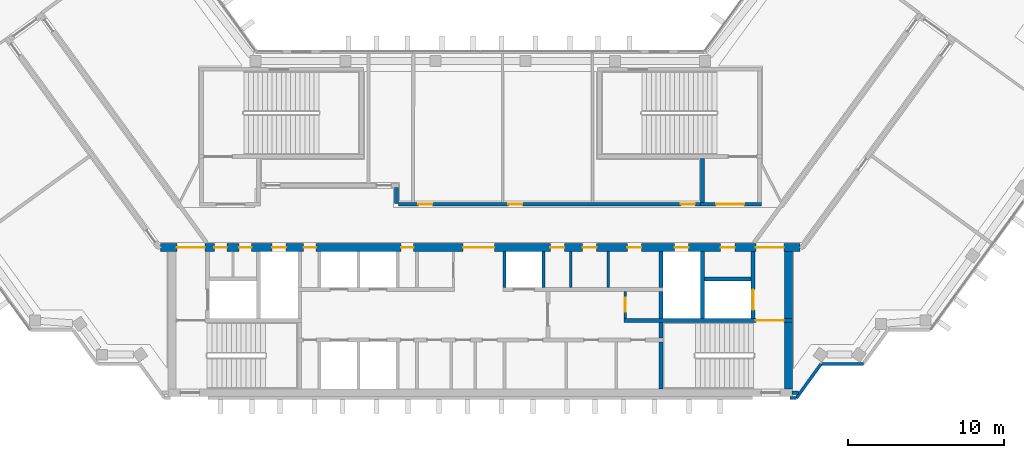
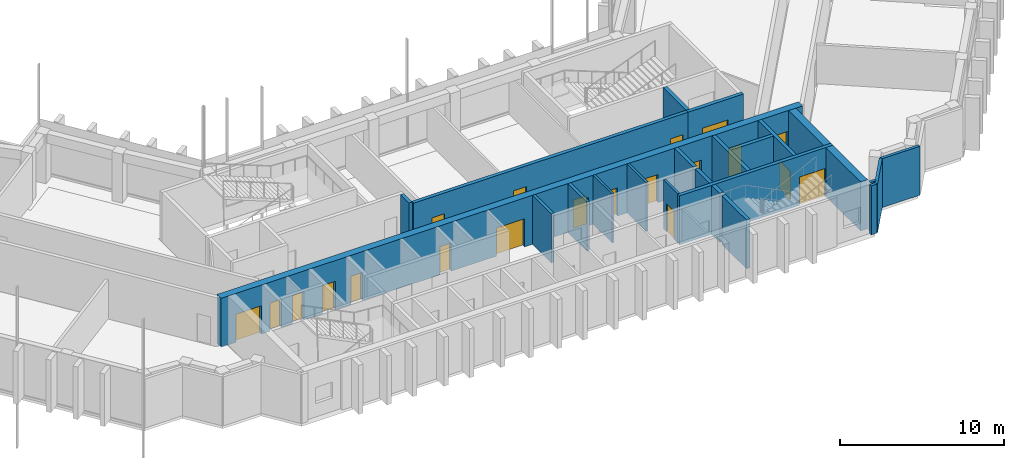
# One storey, part 10 of 14: 24 walls, 20 doors, 20 openings.
"""IFC4 building model written with IfcOpenShell, lengths in metres."""

from ifc_helpers import new_model, si_unit, direction, frame, frame_2d, origin, place, context, subcontext, project, spatial, rectangle, extrude, material, layer, layer_set, type_object, element, fill, save


model = new_model("IFC4")

# Units and contexts
model_context = context("Model", 3, precision=1e-05, world=origin(), true_north=direction((0.0, 1.0)))
body_context = subcontext(model_context, "Body", "Model", "MODEL_VIEW")
ifc_project = project(units=[si_unit("LENGTHUNIT", "METRE"), si_unit("AREAUNIT", "SQUARE_METRE"), si_unit("VOLUMEUNIT", "CUBIC_METRE"), si_unit("PLANEANGLEUNIT", "RADIAN"), si_unit("MASSUNIT", "GRAM", prefix="KILO")], contexts=[model_context])

# Site, building, storey
site_placement = place(None, origin())
site = spatial("IfcSite", under=ifc_project, at=site_placement, CompositionType="ELEMENT")
building_placement = place(site_placement, origin())
building = spatial("IfcBuilding", under=site, at=building_placement, Name="Quipu Civic Tower", CompositionType="ELEMENT")
storey_placement = place(building_placement, frame((0.0, 0.0, 335.0)))
storey = spatial("IfcBuildingStorey", under=building, at=storey_placement, Name="L78", CompositionType="ELEMENT", Elevation=335.0)

# Walls
ifc_material_1 = material(Name="Concrete C70/85", Category="concrete")
ifc_layer_1 = layer(ifc_material_1, 0.25)
ifc_layer_set_1 = layer_set([ifc_layer_1], Name="Concrete C70/85")
wall_type_1 = type_object("IfcWallType", Name="Core wall 250", PredefinedType="SHEAR", material=ifc_layer_set_1)
wall_1_placement = place(storey_placement, frame((11.574951171875, -10.5, 0.0), z_axis=(0.0, 0.0, 1.0), x_axis=(0.0, 1.0, 0.0)))
element("IfcWall", 1, at=wall_1_placement, inside=storey, type_object=wall_type_1, Name="Core wall", PredefinedType="SHEAR", context=body_context, shape_type="SweptSolid", body=[
    extrude(rectangle(XDim=3.0, YDim=0.25, at=frame_2d((1.5, 0.0))), origin(), (0.0, 0.0, 1.0), 3.64990234375),
])
wall_2_placement = place(storey_placement, frame((11.574951171875, -7.25, 0.0), z_axis=(0.0, 0.0, 1.0), x_axis=(0.0, 1.0, 0.0)))
element("IfcWall", 2, at=wall_2_placement, inside=storey, type_object=wall_type_1, Name="Core wall", PredefinedType="SHEAR", context=body_context, shape_type="SweptSolid", body=[
    extrude(rectangle(XDim=1.0, YDim=0.25, at=frame_2d((0.5, 0.0))), origin(), (0.0, 0.0, 1.0), 3.64990234375),
])

# Wall, opening, door
wall_3_placement = place(storey_placement, frame((20.0, -6.125, 0.0), z_axis=(0.0, 0.0, 1.0), x_axis=(-1.0, 0.0, 0.0)))
wall_3 = element("IfcWall", 3, at=wall_3_placement, inside=storey, type_object=wall_type_1, Name="Core wall", PredefinedType="SHEAR", context=body_context, shape_type="SweptSolid", body=[
    extrude(rectangle(XDim=10.800048828125, YDim=0.25, at=frame_2d((5.39990234375, 0.0))), origin(), (0.0, 0.0, 1.0), 3.64990234375),
])
opening_1_placement = place(wall_3_placement, frame((0.550048828125, 0.0, 0.0)))
opening_1 = element("IfcOpeningElement", 4, at=opening_1_placement, cuts=wall_3, Name="Opening CD-10", PredefinedType="OPENING", context=body_context, shape_type="SweptSolid", body=[
    extrude(rectangle(XDim=1.800048828125, YDim=2.10009765625, at=frame_2d((0.89990234375, 1.050048828125))), frame((0.0, 0.135009765625, 0.0), z_axis=(0.0, -1.0, 0.0), x_axis=(1.0, 0.0, 0.0)), (0.0, 0.0, 1.0), 0.27001953125),
])
ifc_material_2 = material(Name="Fire rated steel door", Category="steel")
door_type_1 = type_object("IfcDoorType", Name="Fire door FD90 double 1800 x 2100", OperationType="NOTDEFINED", PredefinedType="DOOR", material=ifc_material_2)
door_1_placement = place(opening_1_placement, origin())
door_1 = element("IfcDoor", 5, at=door_1_placement, inside=storey, type_object=door_type_1, Name="Door", OperationType="DOUBLE_DOOR_SINGLE_SWING", OverallHeight=2.10009765625, OverallWidth=1.800048828125, PredefinedType="DOOR", context=body_context, shape_type="SweptSolid", body=[
    extrude(rectangle(XDim=1.800048828125, YDim=2.10009765625, at=frame_2d((0.89990234375, 1.050048828125))), frame((0.0, 0.02490234375, 0.0), z_axis=(0.0, -1.0, 0.0), x_axis=(1.0, 0.0, 0.0)), (0.0, 0.0, 1.0), 0.050048828125),
])
fill(opening_1, door_1)

# Walls
wall_4_placement = place(storey_placement, frame((11.574951171875, -6.0, 0.0), z_axis=(0.0, 0.0, 1.0), x_axis=(0.0, 1.0, 0.0)))
element("IfcWall", 6, at=wall_4_placement, inside=storey, type_object=wall_type_1, Name="Core wall", PredefinedType="SHEAR", context=body_context, shape_type="SweptSolid", body=[
    extrude(rectangle(XDim=1.75, YDim=0.25, at=frame_2d((0.875, 0.0))), origin(), (0.0, 0.0, 1.0), 3.64990234375),
])
wall_5_placement = place(storey_placement, frame((14.22509765625, -6.0, 0.0), z_axis=(0.0, 0.0, 1.0), x_axis=(0.0, 1.0, 0.0)))
element("IfcWall", 7, at=wall_5_placement, inside=storey, type_object=wall_type_1, Name="Core wall", PredefinedType="SHEAR", context=body_context, shape_type="SweptSolid", body=[
    extrude(rectangle(XDim=4.300048828125, YDim=0.25, at=frame_2d((2.14990234375, 0.0))), origin(), (0.0, 0.0, 1.0), 3.64990234375),
])

# Wall, opening, door
wall_6_placement = place(storey_placement, frame((17.47509765625, -6.0, 0.0), z_axis=(0.0, 0.0, 1.0), x_axis=(0.0, 1.0, 0.0)))
wall_6 = element("IfcWall", 8, at=wall_6_placement, inside=storey, type_object=wall_type_1, Name="Core wall", PredefinedType="SHEAR", context=body_context, shape_type="SweptSolid", body=[
    extrude(rectangle(XDim=4.300048828125, YDim=0.25, at=frame_2d((2.14990234375, 0.0))), origin(), (0.0, 0.0, 1.0), 3.64990234375),
])
opening_2_placement = place(wall_6_placement, frame((0.550048828125, 0.0, 0.0)))
opening_2 = element("IfcOpeningElement", 9, at=opening_2_placement, cuts=wall_6, Name="Opening LD-FF2", PredefinedType="OPENING", context=body_context, shape_type="SweptSolid", body=[
    extrude(rectangle(XDim=1.300048828125, YDim=2.10009765625, at=frame_2d((0.64990234375, 1.050048828125))), frame((0.0, 0.135009765625, 0.0), z_axis=(0.0, -1.0, 0.0), x_axis=(1.0, 0.0, 0.0)), (0.0, 0.0, 1.0), 0.27001953125),
])
ifc_material_3 = material(Name="Stainless steel", Category="steel")
door_type_2 = type_object("IfcDoorType", Name="Lift landing door 1300 x 2100", OperationType="DOUBLE_DOOR_SLIDING", PredefinedType="DOOR", material=ifc_material_3)
door_2_placement = place(opening_2_placement, origin())
door_2 = element("IfcDoor", 10, at=door_2_placement, inside=storey, type_object=door_type_2, Name="Landing door FF2", OperationType="DOUBLE_DOOR_SLIDING", OverallHeight=2.10009765625, OverallWidth=1.300048828125, PredefinedType="DOOR", context=body_context, shape_type="SweptSolid", body=[
    extrude(rectangle(XDim=1.300048828125, YDim=2.10009765625, at=frame_2d((0.64990234375, 1.050048828125))), frame((0.0, 0.02490234375, 0.0), z_axis=(0.0, -1.0, 0.0), x_axis=(1.0, 0.0, 0.0)), (0.0, 0.0, 1.0), 0.050048828125),
])
fill(opening_2, door_2)

# Walls
wall_7_placement = place(storey_placement, frame((11.574951171875, -4.0, 0.0), z_axis=(0.0, 0.0, 1.0), x_axis=(0.0, 1.0, 0.0)))
element("IfcWall", 11, at=wall_7_placement, inside=storey, type_object=wall_type_1, Name="Core wall", PredefinedType="SHEAR", context=body_context, shape_type="SweptSolid", body=[
    extrude(rectangle(XDim=2.300048828125, YDim=0.25, at=frame_2d((1.14990234375, 0.0))), origin(), (0.0, 0.0, 1.0), 3.64990234375),
])
wall_8_placement = place(storey_placement, frame((14.35009765625, -3.47509765625, 0.0), z_axis=(0.0, 0.0, 1.0), x_axis=(1.0, 0.0, 0.0)))
element("IfcWall", 12, at=wall_8_placement, inside=storey, type_object=wall_type_1, Name="Core wall", PredefinedType="SHEAR", context=body_context, shape_type="SweptSolid", body=[
    extrude(rectangle(XDim=3.0, YDim=0.25, at=frame_2d((1.5, 0.0))), origin(), (0.0, 0.0, 1.0), 3.64990234375),
])

# Wall, opening, door
wall_9_placement = place(storey_placement, frame((14.10009765625, 1.324951171875, 0.0), z_axis=(0.0, 0.0, 1.0), x_axis=(1.0, 0.0, 0.0)))
wall_9 = element("IfcWall", 13, at=wall_9_placement, inside=storey, type_object=wall_type_1, Name="Core wall", PredefinedType="SHEAR", context=body_context, shape_type="SweptSolid", body=[
    extrude(rectangle(XDim=3.89990234375, YDim=0.25, at=frame_2d((1.949951171875, 0.0))), origin(), (0.0, 0.0, 1.0), 3.64990234375),
])
opening_3_placement = place(wall_9_placement, frame((1.0, 0.0, 0.0)))
opening_3 = element("IfcOpeningElement", 14, at=opening_3_placement, cuts=wall_9, Name="Opening CD-29", PredefinedType="OPENING", context=body_context, shape_type="SweptSolid", body=[
    extrude(rectangle(XDim=1.800048828125, YDim=2.10009765625, at=frame_2d((0.89990234375, 1.050048828125))), frame((0.0, 0.135009765625, 0.0), z_axis=(0.0, -1.0, 0.0), x_axis=(1.0, 0.0, 0.0)), (0.0, 0.0, 1.0), 0.27001953125),
])
door_3_placement = place(opening_3_placement, origin())
door_3 = element("IfcDoor", 15, at=door_3_placement, inside=storey, type_object=door_type_1, Name="Lobby door", OperationType="DOUBLE_DOOR_SINGLE_SWING", OverallHeight=2.10009765625, OverallWidth=1.800048828125, PredefinedType="DOOR", context=body_context, shape_type="SweptSolid", body=[
    extrude(rectangle(XDim=1.800048828125, YDim=2.10009765625, at=frame_2d((0.89990234375, 1.050048828125))), frame((0.0, 0.02490234375, 0.0), z_axis=(0.0, -1.0, 0.0), x_axis=(1.0, 0.0, 0.0)), (0.0, 0.0, 1.0), 0.050048828125),
])
fill(opening_3, door_3)

# Walls
wall_10_placement = place(storey_placement, frame((14.22509765625, 1.449951171875, 0.0), z_axis=(0.0, 0.0, 1.0), x_axis=(0.0, 1.0, 0.0)))
element("IfcWall", 16, at=wall_10_placement, inside=storey, type_object=wall_type_1, Name="Core wall", PredefinedType="SHEAR", context=body_context, shape_type="SweptSolid", body=[
    extrude(rectangle(XDim=2.800048828125, YDim=0.25, at=frame_2d((1.39990234375, 0.0))), origin(), (0.0, 0.0, 1.0), 3.64990234375),
])
ifc_material_4 = material(Name="Concrete C70/85", Category="concrete")
ifc_layer_2 = layer(ifc_material_4, 0.5)
ifc_layer_set_2 = layer_set([ifc_layer_2], Name="Concrete C70/85")
wall_type_2 = type_object("IfcWallType", Name="Core wall 500", PredefinedType="SHEAR", material=ifc_layer_set_2)
wall_11_placement = place(storey_placement, frame((19.75, -10.5, 0.0), z_axis=(0.0, 0.0, 1.0), x_axis=(0.0, 1.0, 0.0)))
element("IfcWall", 17, at=wall_11_placement, inside=storey, type_object=wall_type_2, Name="Core wall", PredefinedType="SHEAR", context=body_context, shape_type="SweptSolid", body=[
    extrude(rectangle(XDim=4.25, YDim=0.5, at=frame_2d((2.125, 0.0))), origin(), (0.0, 0.0, 1.0), 3.64990234375),
])
wall_12_placement = place(storey_placement, frame((19.75, -6.0, 0.0), z_axis=(0.0, 0.0, 1.0), x_axis=(0.0, 1.0, 0.0)))
element("IfcWall", 18, at=wall_12_placement, inside=storey, type_object=wall_type_2, Name="Core wall", PredefinedType="SHEAR", context=body_context, shape_type="SweptSolid", body=[
    extrude(rectangle(XDim=4.300048828125, YDim=0.5, at=frame_2d((2.14990234375, 0.0))), origin(), (0.0, 0.0, 1.0), 3.64990234375),
])

# Wall, openings, doors
wall_13_placement = place(storey_placement, frame((20.489990234375, -1.449951171875, 0.0), z_axis=(0.0, 0.0, 1.0), x_axis=(-1.0, 0.0, 0.0)))
wall_13 = element("IfcWall", 19, at=wall_13_placement, inside=storey, type_object=wall_type_2, Name="Core wall", PredefinedType="SHEAR", context=body_context, shape_type="SweptSolid", body=[
    extrude(rectangle(XDim=40.97998046875, YDim=0.5, at=frame_2d((20.489990234375, 0.0))), origin(), (0.0, 0.0, 1.0), 3.64990234375),
])
opening_4_placement = place(wall_13_placement, frame((38.139892578125, 0.0, 0.0)))
opening_4 = element("IfcOpeningElement", 20, at=opening_4_placement, cuts=wall_13, Name="Opening CD-14", PredefinedType="OPENING", context=body_context, shape_type="SweptSolid", body=[
    extrude(rectangle(XDim=1.800048828125, YDim=2.10009765625, at=frame_2d((0.89990234375, 1.050048828125))), frame((0.0, 0.260009765625, 0.0), z_axis=(0.0, -1.0, 0.0), x_axis=(1.0, 0.0, 0.0)), (0.0, 0.0, 1.0), 0.52001953125),
])
opening_5_placement = place(wall_13_placement, frame((36.7275390625, 0.0, 0.0)))
opening_5 = element("IfcOpeningElement", 21, at=opening_5_placement, cuts=wall_13, Name="Opening CD-15", PredefinedType="OPENING", context=body_context, shape_type="SweptSolid", body=[
    extrude(rectangle(XDim=0.800048828125, YDim=2.10009765625, at=frame_2d((0.39990234375, 1.050048828125))), frame((0.0, 0.260009765625, 0.0), z_axis=(0.0, -1.0, 0.0), x_axis=(1.0, 0.0, 0.0)), (0.0, 0.0, 1.0), 0.52001953125),
])
opening_6_placement = place(wall_13_placement, frame((35.152587890625, 0.0, 0.0)))
opening_6 = element("IfcOpeningElement", 22, at=opening_6_placement, cuts=wall_13, Name="Opening CD-16", PredefinedType="OPENING", context=body_context, shape_type="SweptSolid", body=[
    extrude(rectangle(XDim=0.800048828125, YDim=2.10009765625, at=frame_2d((0.39990234375, 1.050048828125))), frame((0.0, 0.260009765625, 0.0), z_axis=(0.0, -1.0, 0.0), x_axis=(1.0, 0.0, 0.0)), (0.0, 0.0, 1.0), 0.52001953125),
])
opening_7_placement = place(wall_13_placement, frame((32.93994140625, 0.0, 0.0)))
opening_7 = element("IfcOpeningElement", 23, at=opening_7_placement, cuts=wall_13, Name="Opening CD-17", PredefinedType="OPENING", context=body_context, shape_type="SweptSolid", body=[
    extrude(rectangle(XDim=0.89990234375, YDim=2.10009765625, at=frame_2d((0.449951171875, 1.050048828125))), frame((0.0, 0.260009765625, 0.0), z_axis=(0.0, -1.0, 0.0), x_axis=(1.0, 0.0, 0.0)), (0.0, 0.0, 1.0), 0.52001953125),
])
opening_8_placement = place(wall_13_placement, frame((31.014892578125, 0.0, 0.0)))
opening_8 = element("IfcOpeningElement", 24, at=opening_8_placement, cuts=wall_13, Name="Opening CD-18", PredefinedType="OPENING", context=body_context, shape_type="SweptSolid", body=[
    extrude(rectangle(XDim=0.800048828125, YDim=2.10009765625, at=frame_2d((0.39990234375, 1.050048828125))), frame((0.0, 0.260009765625, 0.0), z_axis=(0.0, -1.0, 0.0), x_axis=(1.0, 0.0, 0.0)), (0.0, 0.0, 1.0), 0.52001953125),
])
opening_9_placement = place(wall_13_placement, frame((24.764892578125, 0.0, 0.0)))
opening_9 = element("IfcOpeningElement", 25, at=opening_9_placement, cuts=wall_13, Name="Opening CD-19", PredefinedType="OPENING", context=body_context, shape_type="SweptSolid", body=[
    extrude(rectangle(XDim=0.800048828125, YDim=2.10009765625, at=frame_2d((0.39990234375, 1.050048828125))), frame((0.0, 0.260009765625, 0.0), z_axis=(0.0, -1.0, 0.0), x_axis=(1.0, 0.0, 0.0)), (0.0, 0.0, 1.0), 0.52001953125),
])
opening_10_placement = place(wall_13_placement, frame((19.590087890625, 0.0, 0.0)))
opening_10 = element("IfcOpeningElement", 26, at=opening_10_placement, cuts=wall_13, Name="Opening CD-20", PredefinedType="OPENING", context=body_context, shape_type="SweptSolid", body=[
    extrude(rectangle(XDim=2.0, YDim=2.10009765625, at=frame_2d((1.0, 1.050048828125))), frame((0.0, 0.260009765625, 0.0), z_axis=(0.0, -1.0, 0.0), x_axis=(1.0, 0.0, 0.0)), (0.0, 0.0, 1.0), 0.52001953125),
])
opening_11_placement = place(wall_13_placement, frame((15.1025390625, 0.0, 0.0)))
opening_11 = element("IfcOpeningElement", 27, at=opening_11_placement, cuts=wall_13, Name="Opening CD-21", PredefinedType="OPENING", context=body_context, shape_type="SweptSolid", body=[
    extrude(rectangle(XDim=0.89990234375, YDim=2.10009765625, at=frame_2d((0.449951171875, 1.050048828125))), frame((0.0, 0.260009765625, 0.0), z_axis=(0.0, -1.0, 0.0), x_axis=(1.0, 0.0, 0.0)), (0.0, 0.0, 1.0), 0.52001953125),
])
opening_12_placement = place(wall_13_placement, frame((13.0400390625, 0.0, 0.0)))
opening_12 = element("IfcOpeningElement", 28, at=opening_12_placement, cuts=wall_13, Name="Opening CD-22", PredefinedType="OPENING", context=body_context, shape_type="SweptSolid", body=[
    extrude(rectangle(XDim=0.89990234375, YDim=2.10009765625, at=frame_2d((0.449951171875, 1.050048828125))), frame((0.0, 0.260009765625, 0.0), z_axis=(0.0, -1.0, 0.0), x_axis=(1.0, 0.0, 0.0)), (0.0, 0.0, 1.0), 0.52001953125),
])
opening_13_placement = place(wall_13_placement, frame((10.177490234375, 0.0, 0.0)))
opening_13 = element("IfcOpeningElement", 29, at=opening_13_placement, cuts=wall_13, Name="Opening CD-23", PredefinedType="OPENING", context=body_context, shape_type="SweptSolid", body=[
    extrude(rectangle(XDim=0.89990234375, YDim=2.10009765625, at=frame_2d((0.449951171875, 1.050048828125))), frame((0.0, 0.260009765625, 0.0), z_axis=(0.0, -1.0, 0.0), x_axis=(1.0, 0.0, 0.0)), (0.0, 0.0, 1.0), 0.52001953125),
])
opening_14_placement = place(wall_13_placement, frame((7.139892578125, 0.0, 0.0)))
opening_14 = element("IfcOpeningElement", 30, at=opening_14_placement, cuts=wall_13, Name="Opening CD-24", PredefinedType="OPENING", context=body_context, shape_type="SweptSolid", body=[
    extrude(rectangle(XDim=0.89990234375, YDim=2.10009765625, at=frame_2d((0.449951171875, 1.050048828125))), frame((0.0, 0.260009765625, 0.0), z_axis=(0.0, -1.0, 0.0), x_axis=(1.0, 0.0, 0.0)), (0.0, 0.0, 1.0), 0.52001953125),
])
opening_15_placement = place(wall_13_placement, frame((4.18994140625, 0.0, 0.0)))
opening_15 = element("IfcOpeningElement", 31, at=opening_15_placement, cuts=wall_13, Name="Opening CD-25", PredefinedType="OPENING", context=body_context, shape_type="SweptSolid", body=[
    extrude(rectangle(XDim=0.89990234375, YDim=2.10009765625, at=frame_2d((0.449951171875, 1.050048828125))), frame((0.0, 0.260009765625, 0.0), z_axis=(0.0, -1.0, 0.0), x_axis=(1.0, 0.0, 0.0)), (0.0, 0.0, 1.0), 0.52001953125),
])
opening_16_placement = place(wall_13_placement, frame((1.0400390625, 0.0, 0.0)))
opening_16 = element("IfcOpeningElement", 32, at=opening_16_placement, cuts=wall_13, Name="Opening CD-26", PredefinedType="OPENING", context=body_context, shape_type="SweptSolid", body=[
    extrude(rectangle(XDim=1.800048828125, YDim=2.10009765625, at=frame_2d((0.89990234375, 1.050048828125))), frame((0.0, 0.260009765625, 0.0), z_axis=(0.0, -1.0, 0.0), x_axis=(1.0, 0.0, 0.0)), (0.0, 0.0, 1.0), 0.52001953125),
])
ifc_material_5 = material(Name="Fire rated steel door", Category="steel")
door_type_3 = type_object("IfcDoorType", Name="Fire door FD60 800 x 2100", OperationType="NOTDEFINED", PredefinedType="DOOR", material=ifc_material_5)
door_4_placement = place(opening_5_placement, origin())
door_4 = element("IfcDoor", 33, at=door_4_placement, inside=storey, type_object=door_type_3, Name="Door", OperationType="SINGLE_SWING_RIGHT", OverallHeight=2.10009765625, OverallWidth=0.800048828125, PredefinedType="DOOR", context=body_context, shape_type="SweptSolid", body=[
    extrude(rectangle(XDim=0.800048828125, YDim=2.10009765625, at=frame_2d((0.39990234375, 1.050048828125))), frame((0.0, 0.02490234375, 0.0), z_axis=(0.0, -1.0, 0.0), x_axis=(1.0, 0.0, 0.0)), (0.0, 0.0, 1.0), 0.050048828125),
])
fill(opening_5, door_4)
door_5_placement = place(opening_6_placement, origin())
door_5 = element("IfcDoor", 34, at=door_5_placement, inside=storey, type_object=door_type_3, Name="Door", OperationType="SINGLE_SWING_RIGHT", OverallHeight=2.10009765625, OverallWidth=0.800048828125, PredefinedType="DOOR", context=body_context, shape_type="SweptSolid", body=[
    extrude(rectangle(XDim=0.800048828125, YDim=2.10009765625, at=frame_2d((0.39990234375, 1.050048828125))), frame((0.0, 0.02490234375, 0.0), z_axis=(0.0, -1.0, 0.0), x_axis=(1.0, 0.0, 0.0)), (0.0, 0.0, 1.0), 0.050048828125),
])
fill(opening_6, door_5)
door_6_placement = place(opening_8_placement, origin())
door_6 = element("IfcDoor", 35, at=door_6_placement, inside=storey, type_object=door_type_3, Name="Door", OperationType="SINGLE_SWING_RIGHT", OverallHeight=2.10009765625, OverallWidth=0.800048828125, PredefinedType="DOOR", context=body_context, shape_type="SweptSolid", body=[
    extrude(rectangle(XDim=0.800048828125, YDim=2.10009765625, at=frame_2d((0.39990234375, 1.050048828125))), frame((0.0, 0.02490234375, 0.0), z_axis=(0.0, -1.0, 0.0), x_axis=(1.0, 0.0, 0.0)), (0.0, 0.0, 1.0), 0.050048828125),
])
fill(opening_8, door_6)
door_7_placement = place(opening_9_placement, origin())
door_7 = element("IfcDoor", 36, at=door_7_placement, inside=storey, type_object=door_type_3, Name="Door", OperationType="SINGLE_SWING_RIGHT", OverallHeight=2.10009765625, OverallWidth=0.800048828125, PredefinedType="DOOR", context=body_context, shape_type="SweptSolid", body=[
    extrude(rectangle(XDim=0.800048828125, YDim=2.10009765625, at=frame_2d((0.39990234375, 1.050048828125))), frame((0.0, 0.02490234375, 0.0), z_axis=(0.0, -1.0, 0.0), x_axis=(1.0, 0.0, 0.0)), (0.0, 0.0, 1.0), 0.050048828125),
])
fill(opening_9, door_7)
ifc_material_6 = material(Name="Fire rated steel door", Category="steel")
door_type_4 = type_object("IfcDoorType", Name="Fire door FD60 900 x 2100", OperationType="NOTDEFINED", PredefinedType="DOOR", material=ifc_material_6)
door_8_placement = place(opening_7_placement, origin())
door_8 = element("IfcDoor", 37, at=door_8_placement, inside=storey, type_object=door_type_4, Name="Riser door", OperationType="SINGLE_SWING_RIGHT", OverallHeight=2.10009765625, OverallWidth=0.89990234375, PredefinedType="DOOR", context=body_context, shape_type="SweptSolid", body=[
    extrude(rectangle(XDim=0.89990234375, YDim=2.10009765625, at=frame_2d((0.449951171875, 1.050048828125))), frame((0.0, 0.02490234375, 0.0), z_axis=(0.0, -1.0, 0.0), x_axis=(1.0, 0.0, 0.0)), (0.0, 0.0, 1.0), 0.050048828125),
])
fill(opening_7, door_8)
door_9_placement = place(opening_11_placement, origin())
door_9 = element("IfcDoor", 38, at=door_9_placement, inside=storey, type_object=door_type_4, Name="Door", OperationType="SINGLE_SWING_LEFT", OverallHeight=2.10009765625, OverallWidth=0.89990234375, PredefinedType="DOOR", context=body_context, shape_type="SweptSolid", body=[
    extrude(rectangle(XDim=0.89990234375, YDim=2.10009765625, at=frame_2d((0.449951171875, 1.050048828125))), frame((0.0, 0.02490234375, 0.0), z_axis=(0.0, -1.0, 0.0), x_axis=(1.0, 0.0, 0.0)), (0.0, 0.0, 1.0), 0.050048828125),
])
fill(opening_11, door_9)
door_10_placement = place(opening_12_placement, origin())
door_10 = element("IfcDoor", 39, at=door_10_placement, inside=storey, type_object=door_type_4, Name="Door", OperationType="SINGLE_SWING_LEFT", OverallHeight=2.10009765625, OverallWidth=0.89990234375, PredefinedType="DOOR", context=body_context, shape_type="SweptSolid", body=[
    extrude(rectangle(XDim=0.89990234375, YDim=2.10009765625, at=frame_2d((0.449951171875, 1.050048828125))), frame((0.0, 0.02490234375, 0.0), z_axis=(0.0, -1.0, 0.0), x_axis=(1.0, 0.0, 0.0)), (0.0, 0.0, 1.0), 0.050048828125),
])
fill(opening_12, door_10)
door_11_placement = place(opening_13_placement, origin())
door_11 = element("IfcDoor", 40, at=door_11_placement, inside=storey, type_object=door_type_4, Name="Door", OperationType="SINGLE_SWING_LEFT", OverallHeight=2.10009765625, OverallWidth=0.89990234375, PredefinedType="DOOR", context=body_context, shape_type="SweptSolid", body=[
    extrude(rectangle(XDim=0.89990234375, YDim=2.10009765625, at=frame_2d((0.449951171875, 1.050048828125))), frame((0.0, 0.02490234375, 0.0), z_axis=(0.0, -1.0, 0.0), x_axis=(1.0, 0.0, 0.0)), (0.0, 0.0, 1.0), 0.050048828125),
])
fill(opening_13, door_11)
door_12_placement = place(opening_14_placement, origin())
door_12 = element("IfcDoor", 41, at=door_12_placement, inside=storey, type_object=door_type_4, Name="Riser door", OperationType="SINGLE_SWING_LEFT", OverallHeight=2.10009765625, OverallWidth=0.89990234375, PredefinedType="DOOR", context=body_context, shape_type="SweptSolid", body=[
    extrude(rectangle(XDim=0.89990234375, YDim=2.10009765625, at=frame_2d((0.449951171875, 1.050048828125))), frame((0.0, 0.02490234375, 0.0), z_axis=(0.0, -1.0, 0.0), x_axis=(1.0, 0.0, 0.0)), (0.0, 0.0, 1.0), 0.050048828125),
])
fill(opening_14, door_12)
door_13_placement = place(opening_15_placement, origin())
door_13 = element("IfcDoor", 42, at=door_13_placement, inside=storey, type_object=door_type_4, Name="Door", OperationType="SINGLE_SWING_LEFT", OverallHeight=2.10009765625, OverallWidth=0.89990234375, PredefinedType="DOOR", context=body_context, shape_type="SweptSolid", body=[
    extrude(rectangle(XDim=0.89990234375, YDim=2.10009765625, at=frame_2d((0.449951171875, 1.050048828125))), frame((0.0, 0.02490234375, 0.0), z_axis=(0.0, -1.0, 0.0), x_axis=(1.0, 0.0, 0.0)), (0.0, 0.0, 1.0), 0.050048828125),
])
fill(opening_15, door_13)
door_14_placement = place(opening_4_placement, origin())
door_14 = element("IfcDoor", 43, at=door_14_placement, inside=storey, type_object=door_type_1, Name="Lobby door", OperationType="DOUBLE_DOOR_SINGLE_SWING", OverallHeight=2.10009765625, OverallWidth=1.800048828125, PredefinedType="DOOR", context=body_context, shape_type="SweptSolid", body=[
    extrude(rectangle(XDim=1.800048828125, YDim=2.10009765625, at=frame_2d((0.89990234375, 1.050048828125))), frame((0.0, 0.02490234375, 0.0), z_axis=(0.0, -1.0, 0.0), x_axis=(1.0, 0.0, 0.0)), (0.0, 0.0, 1.0), 0.050048828125),
])
fill(opening_4, door_14)
door_15_placement = place(opening_16_placement, origin())
door_15 = element("IfcDoor", 44, at=door_15_placement, inside=storey, type_object=door_type_1, Name="Lobby door", OperationType="DOUBLE_DOOR_SINGLE_SWING", OverallHeight=2.10009765625, OverallWidth=1.800048828125, PredefinedType="DOOR", context=body_context, shape_type="SweptSolid", body=[
    extrude(rectangle(XDim=1.800048828125, YDim=2.10009765625, at=frame_2d((0.89990234375, 1.050048828125))), frame((0.0, 0.02490234375, 0.0), z_axis=(0.0, -1.0, 0.0), x_axis=(1.0, 0.0, 0.0)), (0.0, 0.0, 1.0), 0.050048828125),
])
fill(opening_16, door_15)
ifc_material_7 = material(Name="Fire rated steel door", Category="steel")
door_type_5 = type_object("IfcDoorType", Name="Fire door FD90 double 2000 x 2100", OperationType="NOTDEFINED", PredefinedType="DOOR", material=ifc_material_7)
door_16_placement = place(opening_10_placement, origin())
door_16 = element("IfcDoor", 45, at=door_16_placement, inside=storey, type_object=door_type_5, Name="Lobby door", OperationType="DOUBLE_DOOR_SINGLE_SWING", OverallHeight=2.10009765625, OverallWidth=2.0, PredefinedType="DOOR", context=body_context, shape_type="SweptSolid", body=[
    extrude(rectangle(XDim=2.0, YDim=2.10009765625, at=frame_2d((1.0, 1.050048828125))), frame((0.0, 0.02490234375, 0.0), z_axis=(0.0, -1.0, 0.0), x_axis=(1.0, 0.0, 0.0)), (0.0, 0.0, 1.0), 0.050048828125),
])
fill(opening_10, door_16)

# Wall
ifc_material_8 = material(Name="Concrete C50/60", Category="concrete")
ifc_layer_3 = layer(ifc_material_8, 0.25)
ifc_layer_set_3 = layer_set([ifc_layer_3], Name="Concrete C50/60")
wall_type_3 = type_object("IfcWallType", Name="Corridor wall 250 concrete", PredefinedType="SOLIDWALL", material=ifc_layer_set_3)
wall_14_placement = place(storey_placement, frame((-5.375, 2.39990234375, 0.0), z_axis=(0.0, 0.0, 1.0), x_axis=(0.0, -1.0, 0.0)))
element("IfcWall", 46, at=wall_14_placement, inside=storey, type_object=wall_type_3, Name="Corridor wall C08", PredefinedType="SOLIDWALL", context=body_context, shape_type="SweptSolid", body=[
    extrude(rectangle(XDim=1.041259765625, YDim=0.25, at=frame_2d((0.5205078125, 0.0))), origin(), (0.0, 0.0, 1.0), 3.64990234375),
])

# Wall, openings, doors
wall_15_placement = place(storey_placement, frame((-5.246337890625, 1.324951171875, 0.0), z_axis=(0.0, 0.0, 1.0), x_axis=(1.0, 0.0, 0.0)))
wall_15 = element("IfcWall", 47, at=wall_15_placement, inside=storey, type_object=wall_type_3, Name="Corridor wall C09", PredefinedType="SOLIDWALL", context=body_context, shape_type="SweptSolid", body=[
    extrude(rectangle(XDim=19.33642578125, YDim=0.25, at=frame_2d((9.668212890625, 0.0))), origin(), (0.0, 0.0, 1.0), 3.64990234375),
])
opening_17_placement = place(wall_15_placement, frame((1.27734375, 0.0, 0.0)))
opening_17 = element("IfcOpeningElement", 48, at=opening_17_placement, cuts=wall_15, Name="Opening D007", PredefinedType="OPENING", context=body_context, shape_type="SweptSolid", body=[
    extrude(rectangle(XDim=0.89990234375, YDim=2.10009765625, at=frame_2d((0.449951171875, 1.050048828125))), frame((0.0, 0.135009765625, 0.0), z_axis=(0.0, -1.0, 0.0), x_axis=(1.0, 0.0, 0.0)), (0.0, 0.0, 1.0), 0.27001953125),
])
opening_18_placement = place(wall_15_placement, frame((7.036376953125, 0.0, 0.0)))
opening_18 = element("IfcOpeningElement", 49, at=opening_18_placement, cuts=wall_15, Name="Opening D008", PredefinedType="OPENING", context=body_context, shape_type="SweptSolid", body=[
    extrude(rectangle(XDim=0.89990234375, YDim=2.10009765625, at=frame_2d((0.449951171875, 1.050048828125))), frame((0.0, 0.135009765625, 0.0), z_axis=(0.0, -1.0, 0.0), x_axis=(1.0, 0.0, 0.0)), (0.0, 0.0, 1.0), 0.27001953125),
])
opening_19_placement = place(wall_15_placement, frame((18.09619140625, 0.0, 0.0)))
opening_19 = element("IfcOpeningElement", 50, at=opening_19_placement, cuts=wall_15, Name="Opening D009", PredefinedType="OPENING", context=body_context, shape_type="SweptSolid", body=[
    extrude(rectangle(XDim=0.89990234375, YDim=2.10009765625, at=frame_2d((0.449951171875, 1.050048828125))), frame((0.0, 0.135009765625, 0.0), z_axis=(0.0, -1.0, 0.0), x_axis=(1.0, 0.0, 0.0)), (0.0, 0.0, 1.0), 0.27001953125),
])
ifc_material_9 = material(Name="Fire rated timber door set with metal frame", Category="wood")
door_type_6 = type_object("IfcDoorType", Name="Single door 900 x 2100 FD60", OperationType="NOTDEFINED", PredefinedType="DOOR", material=ifc_material_9)
door_17_placement = place(opening_17_placement, origin())
door_17 = element("IfcDoor", 51, at=door_17_placement, inside=storey, type_object=door_type_6, Name="Door D007", OperationType="SINGLE_SWING_LEFT", OverallHeight=2.10009765625, OverallWidth=0.89990234375, PredefinedType="DOOR", context=body_context, shape_type="SweptSolid", body=[
    extrude(rectangle(XDim=0.89990234375, YDim=2.10009765625, at=frame_2d((0.449951171875, 1.050048828125))), frame((0.0, 0.02490234375, 0.0), z_axis=(0.0, -1.0, 0.0), x_axis=(1.0, 0.0, 0.0)), (0.0, 0.0, 1.0), 0.050048828125),
])
fill(opening_17, door_17)
door_18_placement = place(opening_18_placement, origin())
door_18 = element("IfcDoor", 52, at=door_18_placement, inside=storey, type_object=door_type_6, Name="Door D008", OperationType="SINGLE_SWING_LEFT", OverallHeight=2.10009765625, OverallWidth=0.89990234375, PredefinedType="DOOR", context=body_context, shape_type="SweptSolid", body=[
    extrude(rectangle(XDim=0.89990234375, YDim=2.10009765625, at=frame_2d((0.449951171875, 1.050048828125))), frame((0.0, 0.02490234375, 0.0), z_axis=(0.0, -1.0, 0.0), x_axis=(1.0, 0.0, 0.0)), (0.0, 0.0, 1.0), 0.050048828125),
])
fill(opening_18, door_18)
door_19_placement = place(opening_19_placement, origin())
door_19 = element("IfcDoor", 53, at=door_19_placement, inside=storey, type_object=door_type_6, Name="Door D009", OperationType="SINGLE_SWING_RIGHT", OverallHeight=2.10009765625, OverallWidth=0.89990234375, PredefinedType="DOOR", context=body_context, shape_type="SweptSolid", body=[
    extrude(rectangle(XDim=0.89990234375, YDim=2.10009765625, at=frame_2d((0.449951171875, 1.050048828125))), frame((0.0, 0.02490234375, 0.0), z_axis=(0.0, -1.0, 0.0), x_axis=(1.0, 0.0, 0.0)), (0.0, 0.0, 1.0), 0.050048828125),
])
fill(opening_19, door_19)

# Wall, opening, door
ifc_material_10 = material(Name="Gypsum board partition")
ifc_layer_4 = layer(ifc_material_10, 0.14990234375)
ifc_layer_set_4 = layer_set([ifc_layer_4], Name="Gypsum board partition")
wall_type_4 = type_object("IfcWallType", Name="Partition 150", PredefinedType="PARTITIONING", material=ifc_layer_set_4)
wall_16_placement = place(storey_placement, frame((9.27490234375, -6.0, 0.0), z_axis=(0.0, 0.0, 1.0), x_axis=(0.0, 1.0, 0.0)))
wall_16 = element("IfcWall", 54, at=wall_16_placement, inside=storey, type_object=wall_type_4, Name="Partition", PredefinedType="PARTITIONING", context=body_context, shape_type="SweptSolid", body=[
    extrude(rectangle(XDim=1.75, YDim=0.14990234375, at=frame_2d((0.875, 0.0))), origin(), (0.0, 0.0, 1.0), 3.64990234375),
])
opening_20_placement = place(wall_16_placement, frame((0.449951171875, 0.0, 0.0)))
opening_20 = element("IfcOpeningElement", 55, at=opening_20_placement, cuts=wall_16, Name="Opening CD-12", PredefinedType="OPENING", context=body_context, shape_type="SweptSolid", body=[
    extrude(rectangle(XDim=0.89990234375, YDim=2.10009765625, at=frame_2d((0.449951171875, 1.050048828125))), frame((0.0, 0.0849609375, 0.0), z_axis=(0.0, -1.0, 0.0), x_axis=(1.0, 0.0, 0.0)), (0.0, 0.0, 1.0), 0.169921875),
])
door_20_placement = place(opening_20_placement, origin())
door_20 = element("IfcDoor", 56, at=door_20_placement, inside=storey, type_object=door_type_4, Name="Door", OperationType="SINGLE_SWING_RIGHT", OverallHeight=2.10009765625, OverallWidth=0.89990234375, PredefinedType="DOOR", context=body_context, shape_type="SweptSolid", body=[
    extrude(rectangle(XDim=0.89990234375, YDim=2.10009765625, at=frame_2d((0.449951171875, 1.050048828125))), frame((0.0, 0.02490234375, 0.0), z_axis=(0.0, -1.0, 0.0), x_axis=(1.0, 0.0, 0.0)), (0.0, 0.0, 1.0), 0.050048828125),
])
fill(opening_20, door_20)

# Walls
for number, where, z_axis, x_axis, name in (
    (57, (5.800048828125, -4.0, 0.0), (0.0, 0.0, 1.0), (0.0, 1.0, 0.0), "Partition"),
    (58, (8.199951171875, -4.0, 0.0), (0.0, 0.0, 1.0), (0.0, 1.0, 0.0), "Partition"),
):
    element("IfcWall", number, at=place(storey_placement, frame(where, z_axis=z_axis, x_axis=x_axis)), inside=storey, type_object=wall_type_4, Name=name, PredefinedType="PARTITIONING", context=body_context, shape_type="SweptSolid", body=[
        extrude(rectangle(XDim=2.300048828125, YDim=0.14990234375, at=frame_2d((1.14990234375, 0.0))), origin(), (0.0, 0.0, 1.0), 3.64990234375),
    ])
ifc_material_11 = material(Name="Precast concrete C40/50", Category="concrete")
wall_type_5 = type_object("IfcWallType", Name="Precast cladding wall", PredefinedType="SOLIDWALL", material=ifc_material_11)
wall_17_placement = place(storey_placement, frame((19.85009765625, -11.087890625, 0.0), z_axis=(0.0, 0.0, 1.0), x_axis=(1.0, 0.0, 0.0)))
element("IfcWall", 59, at=wall_17_placement, inside=storey, type_object=wall_type_5, Name="Precast cladding wall L78 P22", PredefinedType="SOLIDWALL", context=body_context, shape_type="SweptSolid", body=[
    extrude(rectangle(XDim=0.40576171875, YDim=0.199951171875, at=frame_2d((0.202880859375, 0.0))), origin(), (0.0, 0.0, 1.0), 3.64990234375),
])
wall_18_placement = place(storey_placement, frame((20.253173828125, -11.083251953125, 0.0), z_axis=(0.0, 0.0, 1.0), x_axis=(0.587766567315, 0.809030569476, 0.0)))
element("IfcWall", 60, at=wall_18_placement, inside=storey, type_object=wall_type_5, Name="Precast cladding wall L78 P23", PredefinedType="SOLIDWALL", context=body_context, shape_type="SweptSolid", body=[
    extrude(rectangle(XDim=2.687744140625, YDim=0.199951171875, at=frame_2d((1.34375, 0.0))), origin(), (0.0, 0.0, 1.0), 3.64990234375),
])
wall_19_placement = place(storey_placement, frame((21.8427734375, -8.90380859375, 0.0), z_axis=(0.0, 0.0, 1.0), x_axis=(1.0, 0.0, 0.0)))
element("IfcWall", 61, at=wall_19_placement, inside=storey, type_object=wall_type_5, Name="Precast cladding wall L78 1", PredefinedType="SOLIDWALL", context=body_context, shape_type="SweptSolid", body=[
    extrude(rectangle(XDim=2.699951171875, YDim=0.199951171875, at=frame_2d((1.35009765625, 0.0))), origin(), (0.0, 0.0, 1.0), 3.64990234375),
])
wall_20_placement = place(storey_placement, frame((19.97998046875, -10.75, 0.0), z_axis=(0.0, 0.0, 1.0), x_axis=(1.0, 0.0, 0.0)))
element("IfcWall", 62, at=wall_20_placement, inside=storey, type_object=wall_type_5, Name="Precast cladding return L78 E", PredefinedType="SOLIDWALL", context=body_context, shape_type="SweptSolid", body=[
    extrude(rectangle(XDim=0.41650390625, YDim=0.199951171875, at=frame_2d((0.208251953125, 0.0))), origin(), (0.0, 0.0, 1.0), 3.64990234375),
])
ifc_material_12 = material(Name="Concrete C40/50", Category="concrete")
ifc_layer_5 = layer(ifc_material_12, 0.199951171875)
ifc_layer_set_5 = layer_set([ifc_layer_5], Name="Concrete C40/50")
wall_type_6 = type_object("IfcWallType", Name="Shaft wall 200", PredefinedType="SOLIDWALL", material=ifc_layer_set_5)
for number, where, z_axis, x_axis, name in (
    (63, (1.550048828125, -4.0, 0.0), (0.0, 0.0, 1.0), (0.0, 1.0, 0.0), "Shaft wall"),
    (64, (4.050048828125, -4.0, 0.0), (0.0, 0.0, 1.0), (0.0, 1.0, 0.0), "Shaft wall"),
):
    element("IfcWall", number, at=place(storey_placement, frame(where, z_axis=z_axis, x_axis=x_axis)), inside=storey, type_object=wall_type_6, Name=name, PredefinedType="SOLIDWALL", context=body_context, shape_type="SweptSolid", body=[
        extrude(rectangle(XDim=2.300048828125, YDim=0.199951171875, at=frame_2d((1.14990234375, 0.0))), origin(), (0.0, 0.0, 1.0), 3.64990234375),
    ])

save(model, "model.ifc")
